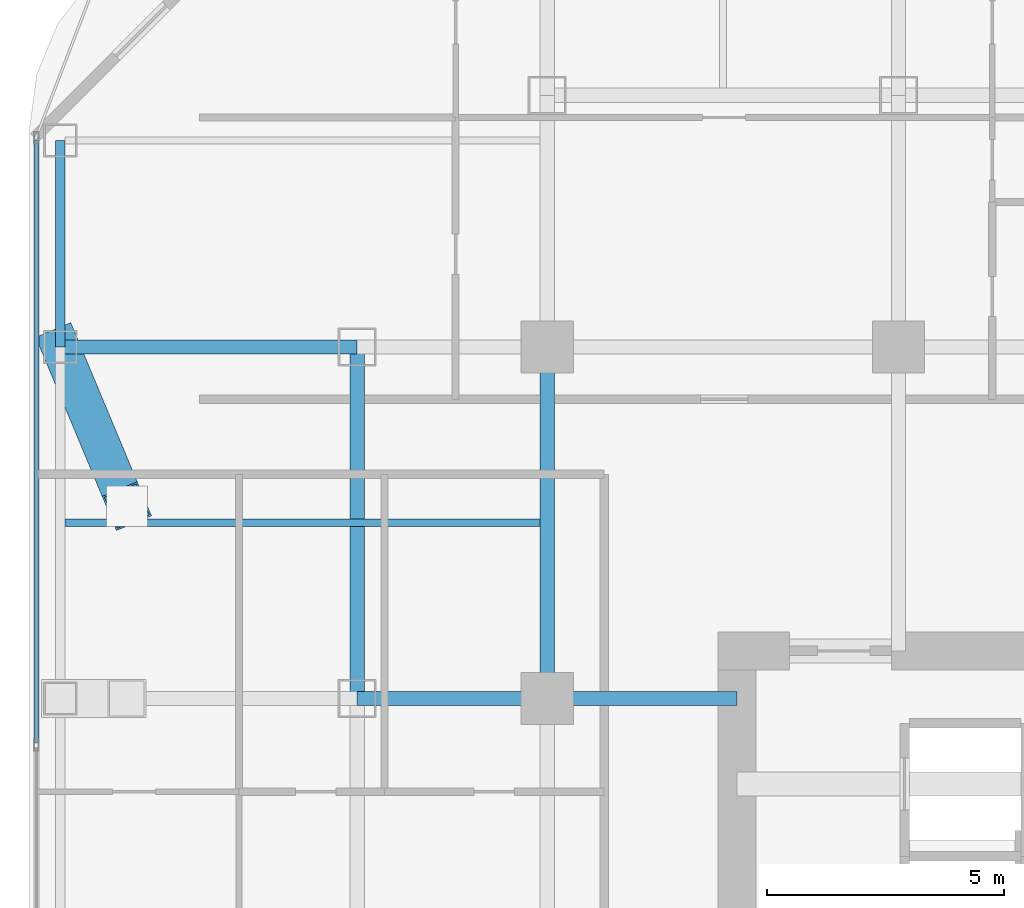
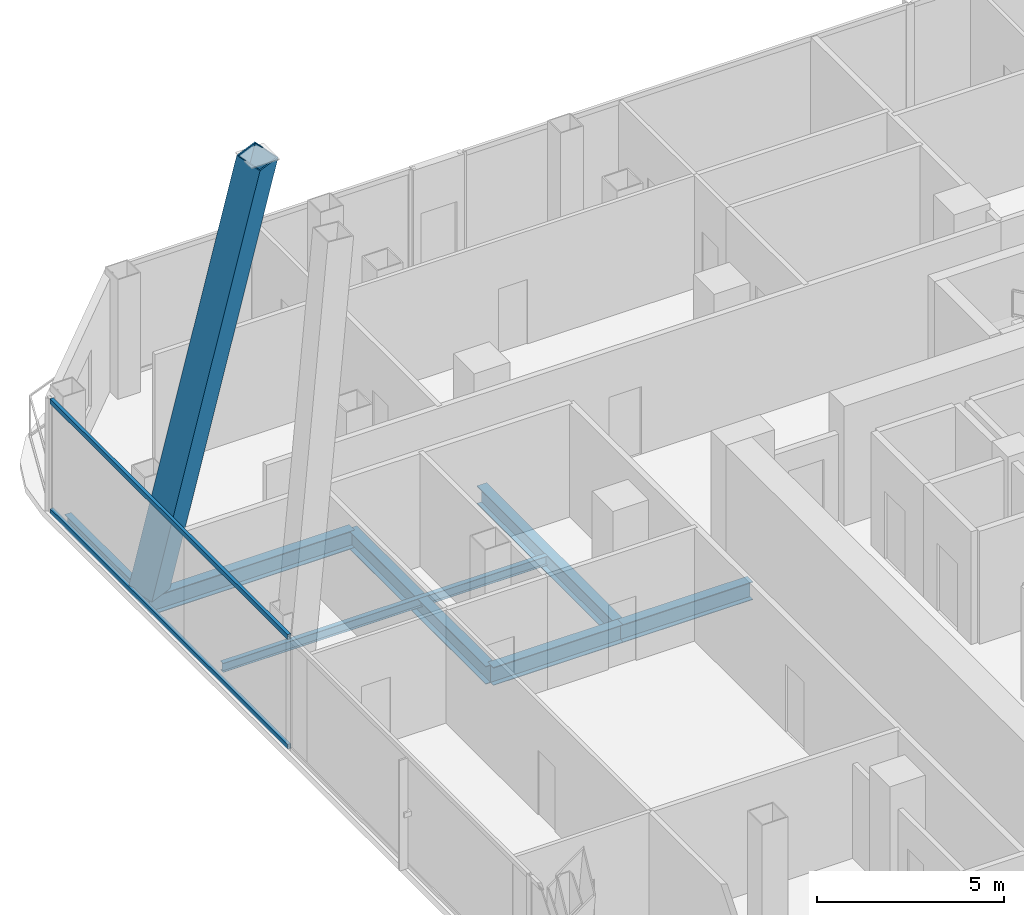
# One storey, part 15 of 34: 7 beams, 3 members, 1 element without a shape of its own.
"""IFC4 building model written with IfcOpenShell, lengths in metres."""

import ifcopenshell
import ifcopenshell.guid

model = None  # the IFC model being written
_history = None  # IfcOwnerHistory: only IFC2X3 demands one
_inside = {}  # id of a spatial element -> (the spatial element, [elements in it])
_under = {}  # id of a project, library or spatial element -> (it, [spatial elements below it])
_declared = {}  # id of a project -> (the project, [libraries it declares])
_typed = {}  # id of a type object -> (the type object, [elements of that type])
_made_of = {}  # id of a material, layer set ... -> (it, [elements and type objects made of it])


def new_model(schema):
    """Start an empty IFC model of exactly this schema.

    Asked for "IFC4X3", IfcOpenShell would pick the latest addendum, in which some entities
    have other attributes; the version numbers below select the first issue.
    IFC2X3 requires an IfcOwnerHistory on every rooted entity: one is made here for all.
    """
    global model, _history
    if schema == "IFC4X3":
        model = ifcopenshell.file(schema_version=(4, 3, 0, 0))
    else:
        model = ifcopenshell.file(schema=schema)
    _inside.clear()
    _under.clear()
    _declared.clear()
    _typed.clear()
    _made_of.clear()
    _history = None
    if model.schema == "IFC2X3":
        org = make("IfcOrganization", Name="unknown")
        user = make(
            "IfcPersonAndOrganization",
            ThePerson=make("IfcPerson", FamilyName="unknown"),
            TheOrganization=org,
        )
        app = make(
            "IfcApplication",
            ApplicationDeveloper=org,
            Version="unknown",
            ApplicationFullName="unknown",
            ApplicationIdentifier="unknown",
        )
        _history = make(
            "IfcOwnerHistory",
            OwningUser=user,
            OwningApplication=app,
            ChangeAction="ADDED",
            CreationDate=0,
        )
    return model


def make(cls, **values):
    """One entity of the class cls with the attributes given. An attribute that is None is left unset."""
    return model.create_entity(
        cls, **{name: value for name, value in values.items() if value is not None}
    )


def rooted(cls, **values):
    """An entity with a GlobalId (a new one), such as an element, a storey or a relation."""
    return make(cls, GlobalId=ifcopenshell.guid.new(), OwnerHistory=_history, **values)


def si_unit(unit_type, name, prefix=None):
    """IfcSIUnit, for example si_unit("LENGTHUNIT", "METRE", prefix="MILLI")."""
    return make("IfcSIUnit", UnitType=unit_type, Prefix=prefix, Name=name)


def assignment(units):
    """IfcUnitAssignment: the units of a project."""
    return None if units is None else make("IfcUnitAssignment", Units=units)


def point(xyz):
    """IfcCartesianPoint."""
    return None if xyz is None else make("IfcCartesianPoint", Coordinates=xyz)


def direction(xyz):
    """IfcDirection."""
    return None if xyz is None else make("IfcDirection", DirectionRatios=xyz)


def frame(location, z_axis=None, x_axis=None):
    """IfcAxis2Placement3D, a coordinate frame: its origin and axes. An axis left out is left unset."""
    return make(
        "IfcAxis2Placement3D",
        Location=point(location),
        Axis=direction(z_axis),
        RefDirection=direction(x_axis),
    )


def frame_2d(location, x_axis=None):
    """IfcAxis2Placement2D, a coordinate frame in the plane: its origin and x axis."""
    return make(
        "IfcAxis2Placement2D", Location=point(location), RefDirection=direction(x_axis)
    )


def origin():
    """The frame at (0, 0, 0) with its axes left unset."""
    return frame((0.0, 0.0, 0.0))


def origin_2d():
    """The frame at (0, 0) in the plane with its x axis left unset."""
    return frame_2d((0.0, 0.0))


def place(relative_to, where):
    """IfcLocalPlacement: puts the frame where relative to a parent placement (None: the world)."""
    return make(
        "IfcLocalPlacement", PlacementRelTo=relative_to, RelativePlacement=where
    )


def context(
    kind, dimensions, precision=None, world=None, true_north=None, identifier=None
):
    """IfcGeometricRepresentationContext, for example the 3D "Model" context."""
    return make(
        "IfcGeometricRepresentationContext",
        ContextIdentifier=identifier,
        ContextType=kind,
        CoordinateSpaceDimension=dimensions,
        Precision=precision,
        WorldCoordinateSystem=world,
        TrueNorth=true_north,
    )


def subcontext(parent, identifier, kind, view, scale=None):
    """IfcGeometricRepresentationSubContext, for example "Body" below "Model"."""
    return make(
        "IfcGeometricRepresentationSubContext",
        ContextIdentifier=identifier,
        ContextType=kind,
        ParentContext=parent,
        TargetScale=scale,
        TargetView=view,
    )


def project(units=None, contexts=None):
    """IfcProject with its units and contexts."""
    return rooted(
        "IfcProject",
        Name="project",
        RepresentationContexts=contexts,
        UnitsInContext=assignment(units),
    )


def spatial(cls, under=None, at=None, **own):
    """A site, building, storey or space (cls), placed at a placement, below another one or the project."""
    s = rooted(cls, ObjectPlacement=at, **own)
    if under is not None:
        _under.setdefault(under.id(), (under, []))[1].append(s)
    return s


def profile(cls, at=None, kind="AREA", **sizes):
    """A parametric profile (cls). Its sizes go by their IFC names, for example OverallWidth=200.0."""
    return make(cls, ProfileType=kind, Position=at, **sizes)


def hollow_rectangle(**sizes):
    """IfcRectangleHollowProfileDef."""
    return profile("IfcRectangleHollowProfileDef", **sizes)


def i_section(**sizes):
    """IfcIShapeProfileDef."""
    return profile("IfcIShapeProfileDef", **sizes)


def extrude(swept, where, along, depth):
    """IfcExtrudedAreaSolid: the profile swept, set in the frame where, extruded along a direction by depth."""
    return make(
        "IfcExtrudedAreaSolid",
        SweptArea=swept,
        Position=where,
        ExtrudedDirection=direction(along),
        Depth=depth,
    )


def shape(context_of_items, identifier, shape_type, items):
    """IfcShapeRepresentation: the items that make up one representation, for example the "Body"."""
    return make(
        "IfcShapeRepresentation",
        ContextOfItems=context_of_items,
        RepresentationIdentifier=identifier,
        RepresentationType=shape_type,
        Items=items,
    )


def material(Name=None, Category=None):
    """IfcMaterial."""
    return make("IfcMaterial", Name=Name, Category=Category)


def layer(
    of_material, thickness, ventilated=None, Name=None, Category=None, Priority=None
):
    """IfcMaterialLayer: one layer of a wall or slab, of a material (None: an air gap)."""
    return make(
        "IfcMaterialLayer",
        Material=of_material,
        LayerThickness=thickness,
        IsVentilated=ventilated,
        Name=Name,
        Category=Category,
        Priority=Priority,
    )


def layer_set(layers, Name=None):
    """IfcMaterialLayerSet."""
    return make("IfcMaterialLayerSet", MaterialLayers=layers, LayerSetName=Name)


def material_profile(
    of_material, cross_section, Name=None, Category=None, Priority=None
):
    """IfcMaterialProfile: a cross section and its material."""
    return make(
        "IfcMaterialProfile",
        Name=Name,
        Material=of_material,
        Profile=cross_section,
        Priority=Priority,
        Category=Category,
    )


def profile_set(profiles, Name=None, composite=None):
    """IfcMaterialProfileSet."""
    return make(
        "IfcMaterialProfileSet",
        Name=Name,
        MaterialProfiles=profiles,
        CompositeProfile=composite,
    )


def made_of(thing, what):
    """Note that an element or type object is made of a material, layer set ...; save() writes the relation."""
    if what is not None:
        _made_of.setdefault(what.id(), (what, []))[1].append(thing)
    return thing


def type_object(cls, material=None, **own):
    """A type object (cls), such as IfcWallType, which elements share."""
    return made_of(rooted(cls, **own), material)


def element(
    cls,
    number,
    at=None,
    inside=None,
    cuts=None,
    type_object=None,
    material=None,
    context=None,
    identifier="Body",
    shape_type=None,
    held_by="IfcProductDefinitionShape",
    body=None,
    shapes=None,
    **own,
):
    """One element of the class cls, such as IfcWall. Its Tag is "e" and its number.

    at: its placement. inside: the storey or other place that contains it. cuts: it is an
    opening in that element (IfcRelVoidsElement). A single representation is given by context,
    identifier, shape_type and body (its items); several are given by shapes. held_by: the class
    of the entity that holds the representations. save() writes the other relations.
    """
    e = rooted(cls, Tag="e%d" % number, ObjectPlacement=at, **own)
    if body is not None:
        shapes = [shape(context, identifier, shape_type, body)]
    if shapes is not None:
        e.Representation = make(held_by, Representations=shapes)
    if inside is not None:
        _inside.setdefault(inside.id(), (inside, []))[1].append(e)
    if cuts is not None:
        rooted(
            "IfcRelVoidsElement", RelatingBuildingElement=cuts, RelatedOpeningElement=e
        )
    if type_object is not None:
        _typed.setdefault(type_object.id(), (type_object, []))[1].append(e)
    return made_of(e, material)


def aggregate(whole, parts):
    """IfcRelAggregates: a whole, such as a stair, and the parts it consists of."""
    return rooted("IfcRelAggregates", RelatingObject=whole, RelatedObjects=parts)


def save(model, path):
    """Write the relations noted so far, then the file.

    IfcRelAggregates (storeys below a building ...), IfcRelContainedInSpatialStructure (elements
    in a storey), IfcRelDefinesByType, IfcRelAssociatesMaterial and IfcRelDeclares: one each for
    every whole, place, type object, material and project.
    """
    for whole, parts in _under.values():
        aggregate(whole, parts)
    for where, things in _inside.values():
        rooted(
            "IfcRelContainedInSpatialStructure",
            RelatedElements=things,
            RelatingStructure=where,
        )
    for kind, things in _typed.values():
        rooted("IfcRelDefinesByType", RelatedObjects=things, RelatingType=kind)
    for what, things in _made_of.values():
        rooted("IfcRelAssociatesMaterial", RelatedObjects=things, RelatingMaterial=what)
    for by, libraries in _declared.values():
        rooted("IfcRelDeclares", RelatingContext=by, RelatedDefinitions=libraries)
    model.write(path)


model = new_model("IFC4")

# Units and contexts
model_context = context("Model", 3, precision=1e-05, world=origin(), true_north=direction((0.0, 1.0)))
body_context = subcontext(model_context, "Body", "Model", "MODEL_VIEW")
ifc_project = project(units=[si_unit("LENGTHUNIT", "METRE"), si_unit("AREAUNIT", "SQUARE_METRE"), si_unit("VOLUMEUNIT", "CUBIC_METRE"), si_unit("PLANEANGLEUNIT", "RADIAN"), si_unit("MASSUNIT", "GRAM", prefix="KILO")], contexts=[model_context])

# Site, building, storey
site_placement = place(None, origin())
site = spatial("IfcSite", under=ifc_project, at=site_placement, CompositionType="ELEMENT")
building_placement = place(site_placement, origin())
building = spatial("IfcBuilding", under=site, at=building_placement, Name="Khorvyn Point Tower", CompositionType="ELEMENT")
storey_placement = place(building_placement, frame((0.0, 0.0, 175.800048828125)))
storey = spatial("IfcBuildingStorey", under=building, at=storey_placement, Name="L43", CompositionType="ELEMENT", Elevation=175.800048828125)

# Curtain wall, members
ifc_material_1 = material(Name="Anodised aluminium 6063-T6 and laminated Low-E glass", Category="aluminium")
ifc_layer = layer(ifc_material_1, 0.18994140625)
ifc_layer_set = layer_set([ifc_layer], Name="Stick-Built Acoustic Curtain Wall CW-SYS-03")
curtain_wall_type = type_object("IfcCurtainWallType", Name="Stick-Built Acoustic Curtain Wall CW-SYS-03", PredefinedType="NOTDEFINED", material=ifc_layer_set)
curtain_wall_placement = place(storey_placement, origin())
curtain_wall = element("IfcCurtainWall", 1, at=curtain_wall_placement, inside=storey, type_object=curtain_wall_type, Name="Curtain Wall", PredefinedType="NOTDEFINED")
ifc_material_2 = material(Name="Anodised aluminium 6063-T6", Category="aluminium")
ifc_material_profile_1 = material_profile(ifc_material_2, hollow_rectangle(XDim=0.10009765625, YDim=0.159912109375, WallThickness=0.00439453125, at=origin_2d()))
ifc_profile_set_1 = profile_set([ifc_material_profile_1], Name="Anodised aluminium 6063-T6 ALU-TRN-100x160")
member_type_1 = type_object("IfcMemberType", Name="Anodised Aluminium 6063-T6 Transom ALU-TRN-100x160", PredefinedType="USERDEFINED", material=ifc_profile_set_1)
member_1_placement = place(storey_placement, frame((-25.550048828125, 6.466552734375, 0.050048828125), z_axis=(0.0, 1.0, 0.0), x_axis=(-1.0, 0.0, 0.0)))
member_1 = element("IfcMember", 2, at=member_1_placement, type_object=member_type_1, Name="Transom", ObjectType="TRANSOM", PredefinedType="USERDEFINED", context=body_context, shape_type="SweptSolid", body=[
    extrude(hollow_rectangle(XDim=0.10009765625, YDim=0.159912109375, WallThickness=0.00439453125, at=origin_2d()), origin(), (0.0, 0.0, 1.0), 12.683349609375),
])
member_2_placement = place(storey_placement, frame((-25.550048828125, 6.466552734375, 3.6298828125), z_axis=(0.0, 1.0, 0.0), x_axis=(-1.0, 0.0, 0.0)))
member_2 = element("IfcMember", 3, at=member_2_placement, type_object=member_type_1, Name="Transom", ObjectType="TRANSOM", PredefinedType="USERDEFINED", context=body_context, shape_type="SweptSolid", body=[
    extrude(hollow_rectangle(XDim=0.10009765625, YDim=0.159912109375, WallThickness=0.00439453125, at=origin_2d()), origin(), (0.0, 0.0, 1.0), 12.683349609375),
])
aggregate(curtain_wall, [member_1, member_2])

# Beams
ifc_material_3 = material(Name="Steel S355", Category="steel")
ifc_material_profile_2 = material_profile(ifc_material_3, i_section(OverallWidth=0.300048828125, OverallDepth=0.587890625, WebThickness=0.011962890625, FlangeThickness=0.02001953125, at=origin_2d()))
ifc_profile_set_2 = profile_set([ifc_material_profile_2], Name="Steel S355 H588x300x12x20")
beam_type_1 = type_object("IfcBeamType", Name="Steel S355 Beam H588x300x12x20", PredefinedType="BEAM", material=ifc_profile_set_2)
beam_1_placement = place(storey_placement, frame((-25.050048828125, 14.800048828125, -0.51416015625), z_axis=(1.0, 0.0, 0.0), x_axis=(0.0, 1.0, 0.0)))
element("IfcBeam", 4, at=beam_1_placement, inside=storey, type_object=beam_type_1, Name="Beam", PredefinedType="BEAM", context=body_context, shape_type="SweptSolid", body=[
    extrude(i_section(OverallWidth=0.300048828125, OverallDepth=0.587890625, WebThickness=0.011962890625, FlangeThickness=0.02001953125, at=origin_2d()), origin(), (0.0, 0.0, 1.0), 6.25),
])
for number, where, z_axis, x_axis, name in (
    (5, (-18.800048828125, 7.39990234375, -0.51416015625), (1.0, 0.0, 0.0), (0.0, 1.0, 0.0), "Beam"),
    (6, (-14.800048828125, 7.39990234375, -0.51416015625), (1.0, 0.0, 0.0), (0.0, 1.0, 0.0), "Beam"),
):
    element("IfcBeam", number, at=place(storey_placement, frame(where, z_axis=z_axis, x_axis=x_axis)), inside=storey, type_object=beam_type_1, Name=name, PredefinedType="BEAM", context=body_context, shape_type="SweptSolid", body=[
        extrude(i_section(OverallWidth=0.300048828125, OverallDepth=0.587890625, WebThickness=0.011962890625, FlangeThickness=0.02001953125, at=origin_2d()), origin(), (0.0, 0.0, 1.0), 4.0),
    ])
for number, where, z_axis, x_axis, name in (
    (7, (-14.800048828125, 7.39990234375, -0.51416015625), (0.0, 1.0, 0.0), (-1.0, 0.0, 0.0), "Beam"),
    (8, (-18.800048828125, 7.39990234375, -0.51416015625), (0.0, 1.0, 0.0), (-1.0, 0.0, 0.0), "Beam"),
):
    element("IfcBeam", number, at=place(storey_placement, frame(where, z_axis=z_axis, x_axis=x_axis)), inside=storey, type_object=beam_type_1, Name=name, PredefinedType="BEAM", context=body_context, shape_type="SweptSolid", body=[
        extrude(i_section(OverallWidth=0.300048828125, OverallDepth=0.587890625, WebThickness=0.011962890625, FlangeThickness=0.02001953125, at=origin_2d()), origin(), (0.0, 0.0, 1.0), 7.400146484375),
    ])
ifc_material_profile_3 = material_profile(ifc_material_3, i_section(OverallWidth=0.14990234375, OverallDepth=0.300048828125, WebThickness=0.006591796875, FlangeThickness=0.009033203125, at=origin_2d()))
ifc_profile_set_3 = profile_set([ifc_material_profile_3], Name="Steel S355 H300x150x6.5x9")
beam_type_2 = type_object("IfcBeamType", Name="Steel S355 Joist H300x150x6.5x9", PredefinedType="JOIST", material=ifc_profile_set_3)
beam_2_placement = place(storey_placement, frame((-24.949951171875, 11.10009765625, -0.3701171875), z_axis=(1.0, 0.0, 0.0), x_axis=(0.0, 1.0, 0.0)))
element("IfcBeam", 9, at=beam_2_placement, inside=storey, type_object=beam_type_2, Name="Beam", PredefinedType="JOIST", context=body_context, shape_type="SweptSolid", body=[
    extrude(i_section(OverallWidth=0.14990234375, OverallDepth=0.300048828125, WebThickness=0.006591796875, FlangeThickness=0.009033203125, at=origin_2d()), origin(), (0.0, 0.0, 1.0), 10.0),
])
ifc_material_profile_4 = material_profile(ifc_material_3, i_section(OverallWidth=0.199951171875, OverallDepth=0.449951171875, WebThickness=0.009033203125, FlangeThickness=0.013916015625, at=origin_2d()))
ifc_profile_set_4 = profile_set([ifc_material_profile_4], Name="Steel S355 H450x200x9x14")
beam_type_3 = type_object("IfcBeamType", Name="Steel S355 Spandrel H450x200x9x14", PredefinedType="SPANDREL", material=ifc_profile_set_4)
beam_3_placement = place(storey_placement, frame((-25.050048828125, 14.800048828125, -0.445068359375), z_axis=(0.0, 1.0, 0.0), x_axis=(-1.0, 0.0, 0.0)))
element("IfcBeam", 10, at=beam_3_placement, inside=storey, type_object=beam_type_3, Name="Beam", PredefinedType="SPANDREL", context=body_context, shape_type="SweptSolid", body=[
    extrude(i_section(OverallWidth=0.199951171875, OverallDepth=0.449951171875, WebThickness=0.009033203125, FlangeThickness=0.013916015625, at=origin_2d()), origin(), (0.0, 0.0, 1.0), 4.349853515625),
])

# Member
ifc_material_4 = material(Name="Steel S450", Category="steel")
ifc_material_profile_5 = material_profile(ifc_material_4, hollow_rectangle(XDim=0.800048828125, YDim=0.800048828125, WallThickness=0.035888671875, at=origin_2d()))
ifc_profile_set_5 = profile_set([ifc_material_profile_5], Name="Steel S450 BOX800x800x36")
member_type_2 = type_object("IfcMemberType", Name="Steel S450 Exoskeleton Structural Post BOX800x800x36", PredefinedType="POST", material=ifc_profile_set_5)
member_3_placement = place(storey_placement, frame((-25.050048828125, 14.800048828125, 0.0), z_axis=(0.087417177585, -0.209161030658, 0.973966067334), x_axis=(0.922658619173, 0.385617780277, 0.0)))
element("IfcMember", 11, at=member_3_placement, inside=storey, type_object=member_type_2, Name="L43 to L47 Exoskeleton Transfer Post 04", PredefinedType="POST", context=body_context, shape_type="SweptSolid", body=[
    extrude(hollow_rectangle(XDim=0.800048828125, YDim=0.800048828125, WallThickness=0.035888671875, at=origin_2d()), origin(), (0.0, 0.0, 1.0), 16.016845703125),
])

save(model, "model.ifc")
